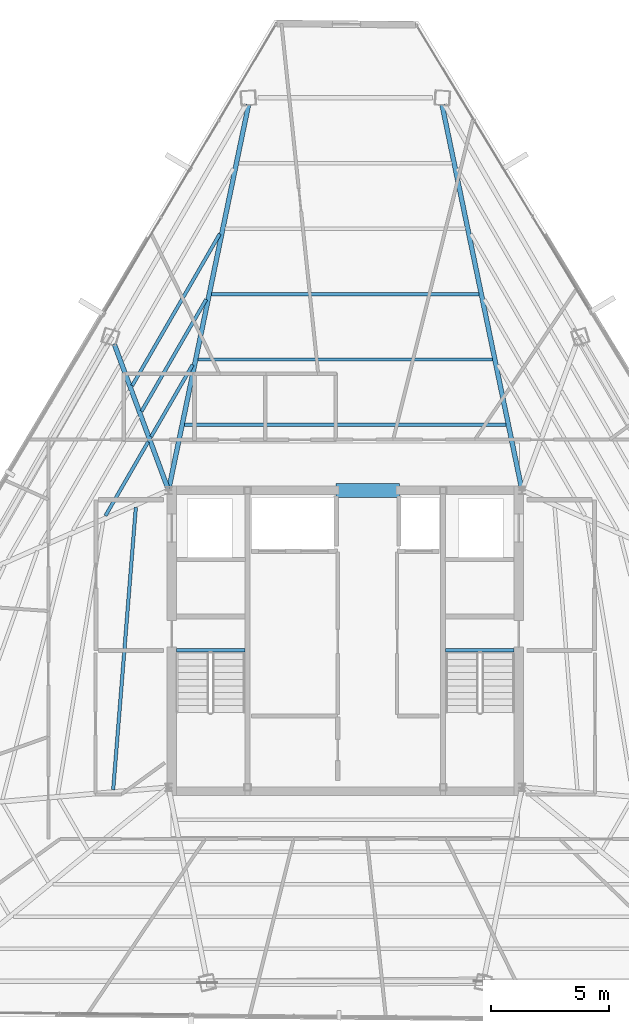
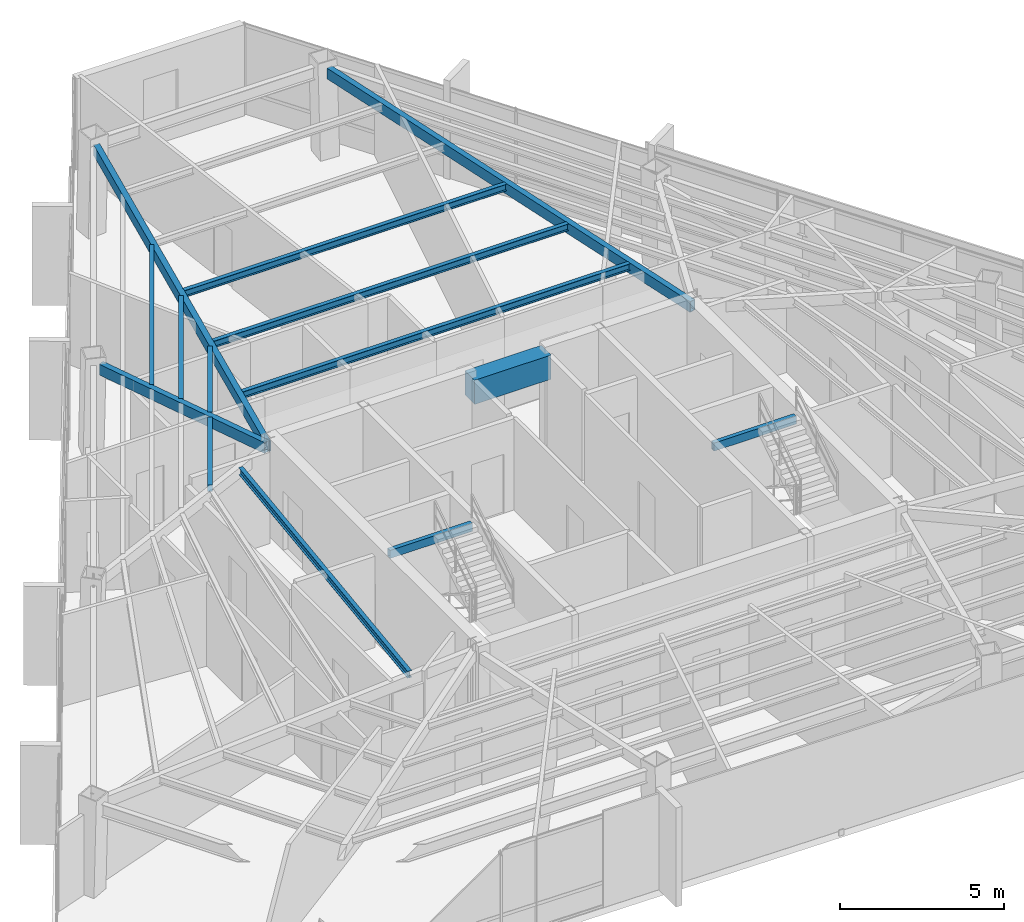
# One storey, part 18 of 42: 14 beams.
"""IFC4 building model written with IfcOpenShell, lengths in metres."""

from ifc_helpers import new_model, si_unit, direction, frame, origin, origin_2d, place, context, subcontext, project, spatial, rectangle, hollow_rectangle, i_section, extrude, source, transform, mapped, material, material_profile, profile_set, type_object, type_shapes, element, save


model = new_model("IFC4")

# Units and contexts
model_context = context("Model", 3, precision=1e-05, world=origin(), true_north=direction((0.0, 1.0)))
body_context = subcontext(model_context, "Body", "Model", "MODEL_VIEW")
ifc_project = project(units=[si_unit("LENGTHUNIT", "METRE"), si_unit("AREAUNIT", "SQUARE_METRE"), si_unit("VOLUMEUNIT", "CUBIC_METRE"), si_unit("PLANEANGLEUNIT", "RADIAN"), si_unit("MASSUNIT", "GRAM", prefix="KILO")], contexts=[model_context])

# Site, building, storey
site_placement = place(None, origin())
site = spatial("IfcSite", under=ifc_project, at=site_placement, CompositionType="ELEMENT")
building_placement = place(site_placement, origin())
building = spatial("IfcBuilding", under=site, at=building_placement, Name="Caelisora Broadcast Tower", CompositionType="ELEMENT")
storey_placement = place(building_placement, frame((0.0, 0.0, 244.449951171875)))
storey = spatial("IfcBuildingStorey", under=building, at=storey_placement, Name="L64", CompositionType="ELEMENT", Elevation=244.449951171875)

# Beams
ifc_material_1 = material(Name="Steel Grade 350 (AS/NZS 1163 C350L0)", Category="steel")
ifc_material_profile_1 = material_profile(ifc_material_1, hollow_rectangle(XDim=0.14990234375, YDim=0.300048828125, WallThickness=0.010009765625, at=origin_2d()), Name="Steel Grade 350 (AS/NZS 1163 C350L0)")
ifc_profile_set_1 = profile_set([ifc_material_profile_1], Name="Steel Grade 350 (AS/NZS 1163 C350L0)")
beam_type_1 = type_object("IfcBeamType", Name="SB05", PredefinedType="JOIST", material=ifc_profile_set_1)
shared_shape_1 = source(origin(), body_context, "Body", "SweptSolid", [
    extrude(hollow_rectangle(XDim=0.14990234375, YDim=0.300048828125, WallThickness=0.010009765625, at=origin_2d()), origin(), (0.0, 0.0, 1.0), 2.89990234375),
])
type_shapes(beam_type_1, [shared_shape_1])
for number, where, z_axis, x_axis, name in (
    (1, (30.840087890625, 23.219970703125, 3.25), (1.0, 0.0, 0.0), (0.0, 1.0, 0.0), "L64 beam SB05"),
    (2, (42.260009765625, 23.219970703125, 3.25), (1.0, 0.0, 0.0), (0.0, 1.0, 0.0), "L64 beam SB05"),
):
    element("IfcBeam", number, at=place(storey_placement, frame(where, z_axis=z_axis, x_axis=x_axis)), inside=storey, type_object=beam_type_1, Name=name, PredefinedType="JOIST", context=body_context, shape_type="MappedRepresentation", body=[
        mapped(shared_shape_1, transform((0.0, 0.0, 0.0), scale=1.0)),
    ])
ifc_material_2 = material(Name="Concrete 50 MPa (AS 3600 S50)", Category="concrete")
ifc_material_profile_2 = material_profile(ifc_material_2, rectangle(XDim=0.60009765625, YDim=0.89990234375, at=origin_2d()), Name="Concrete 50 MPa (AS 3600 S50)")
ifc_profile_set_2 = profile_set([ifc_material_profile_2], Name="Concrete 50 MPa (AS 3600 S50)")
beam_type_2 = type_object("IfcBeamType", Name="CB02", PredefinedType="LINTEL", material=ifc_profile_set_2)
shared_shape_2 = source(origin(), body_context, "Body", "SweptSolid", [
    extrude(rectangle(XDim=0.60009765625, YDim=0.89990234375, at=origin_2d()), origin(), (0.0, 0.0, 1.0), 2.699951171875),
])
type_shapes(beam_type_2, [shared_shape_2])
beam_1_placement = place(storey_placement, frame((37.60009765625, 30.0, 2.949951171875), z_axis=(1.0, 0.0, 0.0), x_axis=(0.0, 1.0, 0.0)))
element("IfcBeam", 3, at=beam_1_placement, inside=storey, type_object=beam_type_2, Name="L64 beam CB02", PredefinedType="LINTEL", context=body_context, shape_type="MappedRepresentation", body=[
    mapped(shared_shape_2, transform((0.0, 0.0, 0.0), scale=1.0)),
])
ifc_material_profile_3 = material_profile(ifc_material_1, hollow_rectangle(XDim=0.199951171875, YDim=0.39990234375, WallThickness=0.012451171875, at=origin_2d()), Name="Steel Grade 350 (AS/NZS 1163 C350L0)")
ifc_profile_set_3 = profile_set([ifc_material_profile_3], Name="Steel Grade 350 (AS/NZS 1163 C350L0)")
beam_type_3 = type_object("IfcBeamType", Name="PG07", PredefinedType="BEAM", material=ifc_profile_set_3)
shared_shape_3 = source(origin(), body_context, "Body", "SweptSolid", [
    extrude(hollow_rectangle(XDim=0.199951171875, YDim=0.39990234375, WallThickness=0.012451171875, at=origin_2d()), origin(), (0.0, 0.0, 1.0), 16.656982421875),
])
for number, where, z_axis, x_axis, name in (
    (4, (45.48779296875, 30.05859375, 3.199951171875), (-0.203101390849, 0.979157712034, 0.0), (-0.979157712034, -0.203101390849, 0.0), "L64 beam PG07"),
    (5, (30.51220703125, 30.05859375, 3.199951171875), (0.203101390849, 0.979157712034, 0.0), (-0.979157712034, 0.203101390849, 0.0), "L64 beam PG07"),
):
    element("IfcBeam", number, at=place(storey_placement, frame(where, z_axis=z_axis, x_axis=x_axis)), inside=storey, type_object=beam_type_3, Name=name, PredefinedType="BEAM", context=body_context, shape_type="MappedRepresentation", body=[
        mapped(shared_shape_3, transform((0.0, 0.0, 0.0), scale=1.0)),
    ])
shared_shape_4 = source(origin(), body_context, "Body", "SweptSolid", [
    extrude(hollow_rectangle(XDim=0.199951171875, YDim=0.39990234375, WallThickness=0.012451171875, at=origin_2d()), origin(), (0.0, 0.0, 1.0), 6.572265625),
])
type_shapes(beam_type_3, [shared_shape_3, shared_shape_4])
beam_2_placement = place(storey_placement, frame((30.47900390625, 30.056396484375, 3.199951171875), z_axis=(-0.34795428466, 0.937511501682, 0.0), x_axis=(-0.937511501682, -0.34795428466, 0.0)))
element("IfcBeam", 6, at=beam_2_placement, inside=storey, type_object=beam_type_3, Name="L64 beam PG07", PredefinedType="BEAM", context=body_context, shape_type="MappedRepresentation", body=[
    mapped(shared_shape_4, transform((0.0, 0.0, 0.0), scale=1.0)),
])
ifc_material_3 = material(Name="Steel Grade 350 (AS/NZS 3679.1)", Category="steel")
ifc_material_profile_4 = material_profile(ifc_material_3, i_section(OverallWidth=0.14599609375, OverallDepth=0.256103515625, WebThickness=0.00634765625, FlangeThickness=0.010986328125, at=origin_2d()), Name="Steel Grade 350 (AS/NZS 3679.1)")
ifc_profile_set_4 = profile_set([ifc_material_profile_4], Name="Steel Grade 350 (AS/NZS 3679.1)")
beam_type_4 = type_object("IfcBeamType", Name="SB04", PredefinedType="JOIST", material=ifc_profile_set_4)
shared_shape_5 = source(origin(), body_context, "Body", "SweptSolid", [
    extrude(i_section(OverallWidth=0.14599609375, OverallDepth=0.256103515625, WebThickness=0.00634765625, FlangeThickness=0.010986328125, at=origin_2d()), origin(), (0.0, 0.0, 1.0), 13.64990234375),
])
beam_3_placement = place(storey_placement, frame((44.824951171875, 32.776611328125, 3.27197265625), z_axis=(-1.0, 0.0, 0.0), x_axis=(0.0, -1.0, 0.0)))
element("IfcBeam", 7, at=beam_3_placement, inside=storey, type_object=beam_type_4, Name="L64 beam SB04", PredefinedType="JOIST", context=body_context, shape_type="MappedRepresentation", body=[
    mapped(shared_shape_5, transform((0.0, 0.0, 0.0), scale=1.0)),
])
shared_shape_6 = source(origin(), body_context, "Body", "SweptSolid", [
    extrude(i_section(OverallWidth=0.14599609375, OverallDepth=0.256103515625, WebThickness=0.00634765625, FlangeThickness=0.010986328125, at=origin_2d()), origin(), (0.0, 0.0, 1.0), 12.498046875),
])
beam_4_placement = place(storey_placement, frame((44.2490234375, 35.553466796875, 3.27197265625), z_axis=(-1.0, 0.0, 0.0), x_axis=(0.0, -1.0, 0.0)))
element("IfcBeam", 8, at=beam_4_placement, inside=storey, type_object=beam_type_4, Name="L64 beam SB04", PredefinedType="JOIST", context=body_context, shape_type="MappedRepresentation", body=[
    mapped(shared_shape_6, transform((0.0, 0.0, 0.0), scale=1.0)),
])
shared_shape_7 = source(origin(), body_context, "Body", "SweptSolid", [
    extrude(i_section(OverallWidth=0.14599609375, OverallDepth=0.256103515625, WebThickness=0.00634765625, FlangeThickness=0.010986328125, at=origin_2d()), origin(), (0.0, 0.0, 1.0), 11.34619140625),
])
beam_5_placement = place(storey_placement, frame((43.673095703125, 38.330078125, 3.27197265625), z_axis=(-1.0, 0.0, 0.0), x_axis=(0.0, -1.0, 0.0)))
element("IfcBeam", 9, at=beam_5_placement, inside=storey, type_object=beam_type_4, Name="L64 beam SB04", PredefinedType="JOIST", context=body_context, shape_type="MappedRepresentation", body=[
    mapped(shared_shape_7, transform((0.0, 0.0, 0.0), scale=1.0)),
])
shared_shape_8 = source(origin(), body_context, "Body", "SweptSolid", [
    extrude(i_section(OverallWidth=0.14599609375, OverallDepth=0.256103515625, WebThickness=0.00634765625, FlangeThickness=0.010986328125, at=origin_2d()), origin(), (0.0, 0.0, 1.0), 3.5244140625),
])
beam_6_placement = place(storey_placement, frame((31.521728515625, 35.327880859375, 3.27197265625), z_axis=(-0.499998282143, -0.866026395587, 0.0), x_axis=(0.866026395587, -0.499998282143, 0.0)))
element("IfcBeam", 10, at=beam_6_placement, inside=storey, type_object=beam_type_4, Name="L64 beam SB04", PredefinedType="JOIST", context=body_context, shape_type="MappedRepresentation", body=[
    mapped(shared_shape_8, transform((0.0, 0.0, 0.0), scale=1.0)),
])
shared_shape_9 = source(origin(), body_context, "Body", "SweptSolid", [
    extrude(i_section(OverallWidth=0.14599609375, OverallDepth=0.256103515625, WebThickness=0.00634765625, FlangeThickness=0.010986328125, at=origin_2d()), origin(), (0.0, 0.0, 1.0), 5.48046875),
])
beam_7_placement = place(storey_placement, frame((32.097900390625, 38.104736328125, 3.27197265625), z_axis=(-0.500010383074, -0.866019409031, 0.0), x_axis=(0.866019409031, -0.500010383074, 0.0)))
element("IfcBeam", 11, at=beam_7_placement, inside=storey, type_object=beam_type_4, Name="L64 beam SB04", PredefinedType="JOIST", context=body_context, shape_type="MappedRepresentation", body=[
    mapped(shared_shape_9, transform((0.0, 0.0, 0.0), scale=1.0)),
])
shared_shape_10 = source(origin(), body_context, "Body", "SweptSolid", [
    extrude(i_section(OverallWidth=0.14599609375, OverallDepth=0.256103515625, WebThickness=0.00634765625, FlangeThickness=0.010986328125, at=origin_2d()), origin(), (0.0, 0.0, 1.0), 7.435791015625),
])
beam_8_placement = place(storey_placement, frame((32.673583984375, 40.88134765625, 3.27197265625), z_axis=(-0.499981086825, -0.866036323036, 0.0), x_axis=(0.866036323036, -0.499981086825, 0.0)))
element("IfcBeam", 12, at=beam_8_placement, inside=storey, type_object=beam_type_4, Name="L64 beam SB04", PredefinedType="JOIST", context=body_context, shape_type="MappedRepresentation", body=[
    mapped(shared_shape_10, transform((0.0, 0.0, 0.0), scale=1.0)),
])
shared_shape_11 = source(origin(), body_context, "Body", "SweptSolid", [
    extrude(i_section(OverallWidth=0.14599609375, OverallDepth=0.256103515625, WebThickness=0.00634765625, FlangeThickness=0.010986328125, at=origin_2d()), origin(), (0.0, 0.0, 1.0), 3.6181640625),
])
beam_9_placement = place(storey_placement, frame((29.6328125, 32.055908203125, 3.27197265625), z_axis=(-0.500065111903, -0.865987808146, 0.0), x_axis=(0.865987808146, -0.500065111903, 0.0)))
element("IfcBeam", 13, at=beam_9_placement, inside=storey, type_object=beam_type_4, Name="L64 beam SB04", PredefinedType="JOIST", context=body_context, shape_type="MappedRepresentation", body=[
    mapped(shared_shape_11, transform((0.0, 0.0, 0.0), scale=1.0)),
])
shared_shape_12 = source(origin(), body_context, "Body", "SweptSolid", [
    extrude(i_section(OverallWidth=0.14599609375, OverallDepth=0.256103515625, WebThickness=0.00634765625, FlangeThickness=0.010986328125, at=origin_2d()), origin(), (0.0, 0.0, 1.0), 12.02392578125),
])
type_shapes(beam_type_4, [shared_shape_5, shared_shape_6, shared_shape_7, shared_shape_8, shared_shape_9, shared_shape_10, shared_shape_11, shared_shape_12])
beam_10_placement = place(storey_placement, frame((29.111328125, 29.27880859375, 3.27197265625), z_axis=(-0.079939713587, -0.996799700136, 0.0), x_axis=(0.996799700136, -0.079939713587, 0.0)))
element("IfcBeam", 14, at=beam_10_placement, inside=storey, type_object=beam_type_4, Name="L64 beam SB04", PredefinedType="JOIST", context=body_context, shape_type="MappedRepresentation", body=[
    mapped(shared_shape_12, transform((0.0, 0.0, 0.0), scale=1.0)),
])

save(model, "model.ifc")
